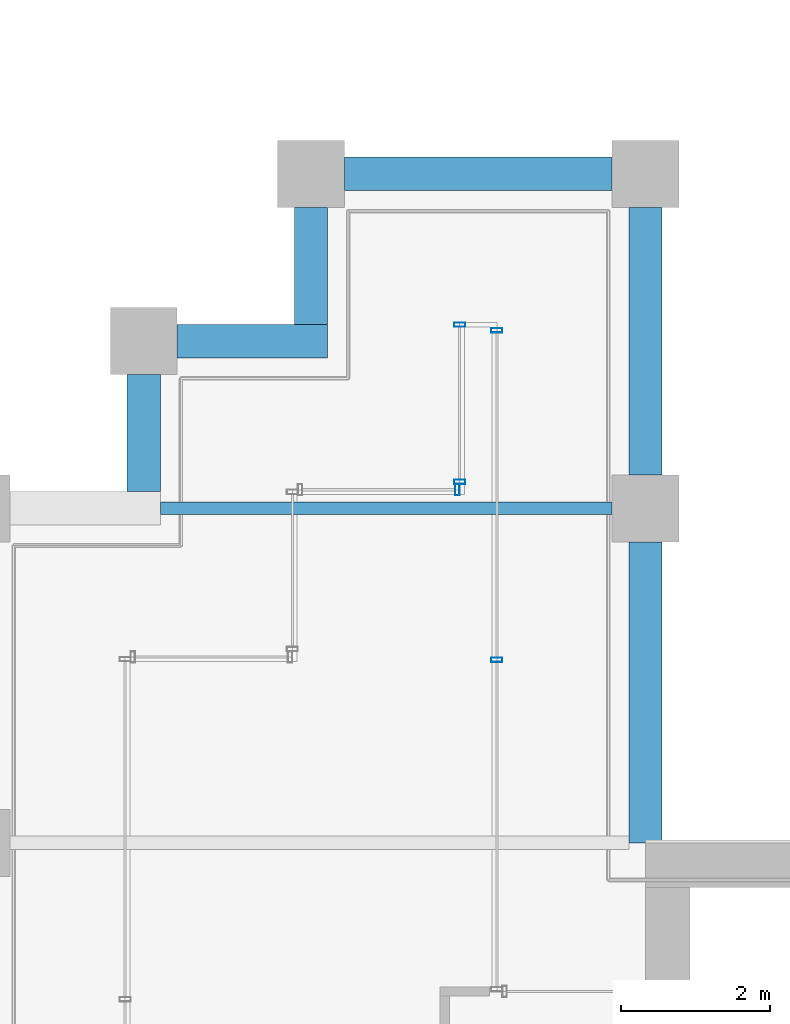
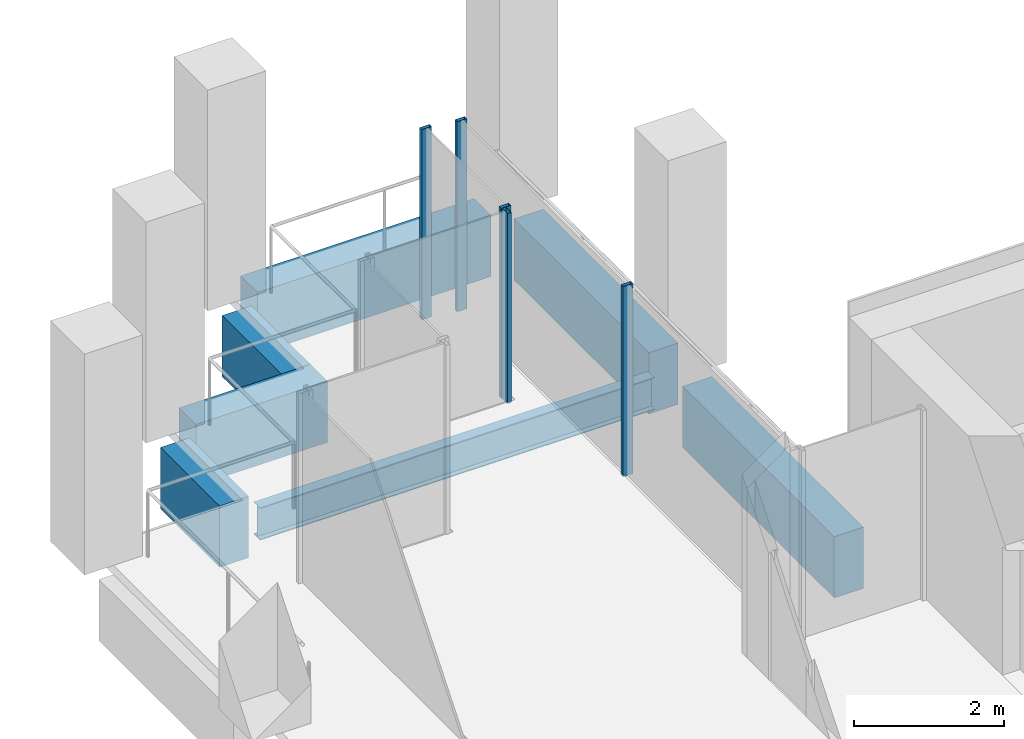
# One storey, part 33 of 40: 7 beams, 5 members, 3 elements without a shape of their own.
"""IFC4 building model written with IfcOpenShell, lengths in metres."""

from ifc_helpers import new_model, si_unit, direction, frame, origin, origin_2d, place, context, subcontext, project, spatial, rectangle, hollow_rectangle, i_section, extrude, material, material_profile, profile_set, type_object, element, aggregate, save


model = new_model("IFC4")

# Units and contexts
model_context = context("Model", 3, precision=1e-05, world=origin(), true_north=direction((0.0, 1.0)))
body_context = subcontext(model_context, "Body", "Model", "MODEL_VIEW")
ifc_project = project(units=[si_unit("LENGTHUNIT", "METRE"), si_unit("AREAUNIT", "SQUARE_METRE"), si_unit("VOLUMEUNIT", "CUBIC_METRE"), si_unit("PLANEANGLEUNIT", "RADIAN"), si_unit("MASSUNIT", "GRAM", prefix="KILO")], contexts=[model_context])

# Site, building, storey
site_placement = place(None, origin())
site = spatial("IfcSite", under=ifc_project, at=site_placement, CompositionType="ELEMENT")
building_placement = place(site_placement, origin())
building = spatial("IfcBuilding", under=site, at=building_placement, Name="Altepetl Exchange Towers", CompositionType="ELEMENT")
storey_placement = place(building_placement, frame((0.0, 0.0, 158.199951171875)))
storey = spatial("IfcBuildingStorey", under=building, at=storey_placement, Name="L39", CompositionType="ELEMENT", Elevation=158.199951171875)

# Beam
ifc_material_1 = material(Name="Steel S355", Category="steel")
ifc_material_profile_1 = material_profile(ifc_material_1, i_section(OverallWidth=0.166015625, OverallDepth=0.529052734375, WebThickness=0.009765625, FlangeThickness=0.013671875, at=origin_2d()), Name="W21X50")
ifc_profile_set_1 = profile_set([ifc_material_profile_1], Name="Steel S355")
beam_type_1 = type_object("IfcBeamType", Name="Floor beam W21X50", PredefinedType="BEAM", material=ifc_profile_set_1)
beam_1_placement = place(storey_placement, frame((96.97509765625, 54.0, -0.41455078125), z_axis=(1.0, 0.0, 0.0), x_axis=(0.0, 1.0, 0.0)))
element("IfcBeam", 1, at=beam_1_placement, inside=storey, type_object=beam_type_1, Name="bm:B:L39:007", PredefinedType="BEAM", context=body_context, shape_type="SweptSolid", body=[
    extrude(i_section(OverallWidth=0.166015625, OverallDepth=0.529052734375, WebThickness=0.009765625, FlangeThickness=0.013671875, at=origin_2d()), origin(), (0.0, 0.0, 1.0), 6.074951171875),
])

# Curtain wall, members
ifc_material_2 = material(Name="Aluminium 6063-T6 glazing", Category="aluminium")
curtain_wall_type = type_object("IfcCurtainWallType", Name="Loggia glazing system", PredefinedType="NOTDEFINED", material=ifc_material_2)
curtain_wall_1_placement = place(storey_placement, origin())
curtain_wall_1 = element("IfcCurtainWall", 2, at=curtain_wall_1_placement, inside=storey, type_object=curtain_wall_type, Name="CW1 run", PredefinedType="NOTDEFINED")
ifc_material_3 = material(Name="Aluminium 6063-T6", Category="aluminium")
ifc_material_profile_2 = material_profile(ifc_material_3, hollow_rectangle(XDim=0.06005859375, YDim=0.14990234375, WallThickness=0.0029296875, at=origin_2d()), Name="Mullion 60x150 aluminium")
ifc_profile_set_2 = profile_set([ifc_material_profile_2], Name="Aluminium 6063-T6")
member_type = type_object("IfcMemberType", Name="Mullion 60x150 aluminium", PredefinedType="MULLION", material=ifc_profile_set_2)
member_1_placement = place(storey_placement, frame((101.5, 51.96240234375, 0.0), z_axis=(0.0, 0.0, 1.0), x_axis=(0.0, 1.0, 0.0)))
member_1 = element("IfcMember", 3, at=member_1_placement, type_object=member_type, Name="MU1 mullion", PredefinedType="MULLION", context=body_context, shape_type="SweptSolid", body=[
    extrude(hollow_rectangle(XDim=0.06005859375, YDim=0.14990234375, WallThickness=0.0029296875, at=origin_2d()), origin(), (0.0, 0.0, 1.0), 3.10009765625),
])
member_2_placement = place(storey_placement, frame((101.5, 56.39501953125, 0.0), z_axis=(0.0, 0.0, 1.0), x_axis=(0.0, 1.0, 0.0)))
member_2 = element("IfcMember", 4, at=member_2_placement, type_object=member_type, Name="MU1 mullion", PredefinedType="MULLION", context=body_context, shape_type="SweptSolid", body=[
    extrude(hollow_rectangle(XDim=0.06005859375, YDim=0.14990234375, WallThickness=0.0029296875, at=origin_2d()), origin(), (0.0, 0.0, 1.0), 3.10009765625),
])
aggregate(curtain_wall_1, [member_1, member_2])

curtain_wall_2_placement = place(storey_placement, origin())
curtain_wall_2 = element("IfcCurtainWall", 5, at=curtain_wall_2_placement, inside=storey, type_object=curtain_wall_type, Name="CW1 run", PredefinedType="NOTDEFINED")
member_3_placement = place(storey_placement, frame((101.0, 56.469970703125, 0.0), z_axis=(0.0, 0.0, 1.0), x_axis=(0.0, -1.0, 0.0)))
member_3 = element("IfcMember", 6, at=member_3_placement, type_object=member_type, Name="MU1 mullion", PredefinedType="MULLION", context=body_context, shape_type="SweptSolid", body=[
    extrude(hollow_rectangle(XDim=0.06005859375, YDim=0.14990234375, WallThickness=0.0029296875, at=origin_2d()), origin(), (0.0, 0.0, 1.0), 3.10009765625),
])
member_4_placement = place(storey_placement, frame((101.0, 54.35498046875, 0.0), z_axis=(0.0, 0.0, 1.0), x_axis=(0.0, -1.0, 0.0)))
member_4 = element("IfcMember", 7, at=member_4_placement, type_object=member_type, Name="MU1 mullion", PredefinedType="MULLION", context=body_context, shape_type="SweptSolid", body=[
    extrude(hollow_rectangle(XDim=0.06005859375, YDim=0.14990234375, WallThickness=0.0029296875, at=origin_2d()), origin(), (0.0, 0.0, 1.0), 3.10009765625),
])
aggregate(curtain_wall_2, [member_3, member_4])

# Curtain wall, member
curtain_wall_3_placement = place(storey_placement, origin())
curtain_wall_3 = element("IfcCurtainWall", 8, at=curtain_wall_3_placement, inside=storey, type_object=curtain_wall_type, Name="CW1 run", PredefinedType="NOTDEFINED")
member_5_placement = place(storey_placement, frame((100.969970703125, 54.25, 0.0), z_axis=(0.0, 0.0, 1.0), x_axis=(-1.0, 0.0, 0.0)))
member_5 = element("IfcMember", 9, at=member_5_placement, type_object=member_type, Name="MU1 mullion", PredefinedType="MULLION", context=body_context, shape_type="SweptSolid", body=[
    extrude(hollow_rectangle(XDim=0.06005859375, YDim=0.14990234375, WallThickness=0.0029296875, at=origin_2d()), origin(), (0.0, 0.0, 1.0), 3.10009765625),
])
aggregate(curtain_wall_3, [member_5])

# Beams
ifc_material_4 = material(Name="Concrete C50/60 precast with cantera rosa facing", Category="concrete")
ifc_material_profile_3 = material_profile(ifc_material_4, rectangle(XDim=0.449951171875, YDim=1.0, at=origin_2d()), Name="450 x 1000")
ifc_profile_set_3 = profile_set([ifc_material_profile_3], Name="Concrete C50/60 precast with cantera rosa facing")
beam_type_2 = type_object("IfcBeamType", Name="Spandrel beam 450x1000 cantera rosa", PredefinedType="SPANDREL", material=ifc_profile_set_3)
beam_2_placement = place(storey_placement, frame((103.5, 49.5, -0.64990234375), z_axis=(0.0, 1.0, 0.0), x_axis=(-1.0, 0.0, 0.0)))
element("IfcBeam", 10, at=beam_2_placement, inside=storey, type_object=beam_type_2, Name="sp:B:L39:008", PredefinedType="SPANDREL", context=body_context, shape_type="SweptSolid", body=[
    extrude(rectangle(XDim=0.449951171875, YDim=1.0, at=origin_2d()), origin(), (0.0, 0.0, 1.0), 4.050048828125),
])
for number, where, z_axis, x_axis, name in (
    (11, (103.5, 54.449951171875, -0.64990234375), (0.0, 1.0, 0.0), (-1.0, 0.0, 0.0), "sp:B:L39:009"),
    (12, (103.050048828125, 58.5, -0.64990234375), (-1.0, 0.0, 0.0), (0.0, -1.0, 0.0), "sp:B:L39:010"),
):
    element("IfcBeam", number, at=place(storey_placement, frame(where, z_axis=z_axis, x_axis=x_axis)), inside=storey, type_object=beam_type_2, Name=name, PredefinedType="SPANDREL", context=body_context, shape_type="SweptSolid", body=[
        extrude(rectangle(XDim=0.449951171875, YDim=1.0, at=origin_2d()), origin(), (0.0, 0.0, 1.0), 3.60009765625),
    ])
beam_3_placement = place(storey_placement, frame((99.0, 58.050048828125, -0.64990234375), z_axis=(0.0, -1.0, 0.0), x_axis=(1.0, 0.0, 0.0)))
element("IfcBeam", 13, at=beam_3_placement, inside=storey, type_object=beam_type_2, Name="sp:B:L39:011", PredefinedType="SPANDREL", context=body_context, shape_type="SweptSolid", body=[
    extrude(rectangle(XDim=0.449951171875, YDim=1.0, at=origin_2d()), origin(), (0.0, 0.0, 1.0), 1.574951171875),
])
beam_4_placement = place(storey_placement, frame((99.22509765625, 56.25, -0.64990234375), z_axis=(-1.0, 0.0, 0.0), x_axis=(0.0, -1.0, 0.0)))
element("IfcBeam", 14, at=beam_4_placement, inside=storey, type_object=beam_type_2, Name="sp:B:L39:012", PredefinedType="SPANDREL", context=body_context, shape_type="SweptSolid", body=[
    extrude(rectangle(XDim=0.449951171875, YDim=1.0, at=origin_2d()), origin(), (0.0, 0.0, 1.0), 2.025146484375),
])
beam_5_placement = place(storey_placement, frame((96.75, 55.800048828125, -0.64990234375), z_axis=(0.0, -1.0, 0.0), x_axis=(1.0, 0.0, 0.0)))
element("IfcBeam", 15, at=beam_5_placement, inside=storey, type_object=beam_type_2, Name="sp:B:L39:013", PredefinedType="SPANDREL", context=body_context, shape_type="SweptSolid", body=[
    extrude(rectangle(XDim=0.449951171875, YDim=1.0, at=origin_2d()), origin(), (0.0, 0.0, 1.0), 1.574951171875),
])

save(model, "model.ifc")
